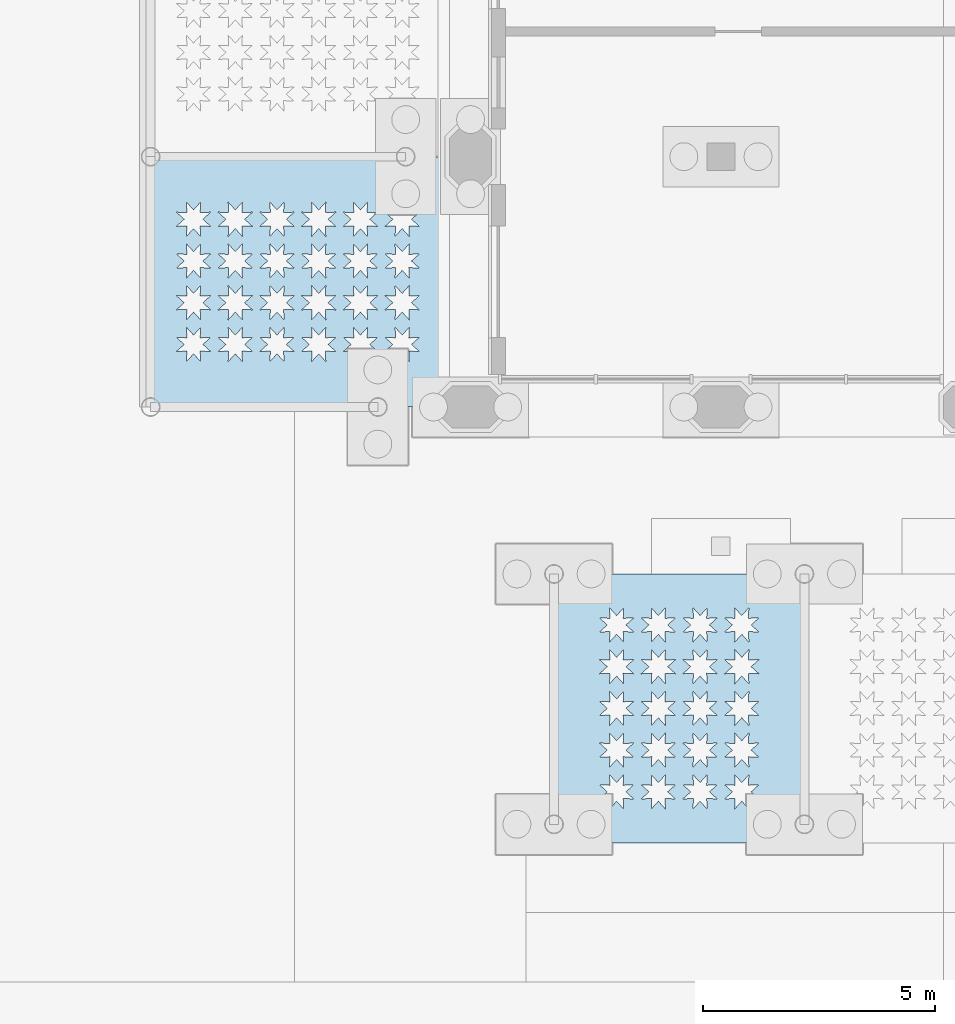
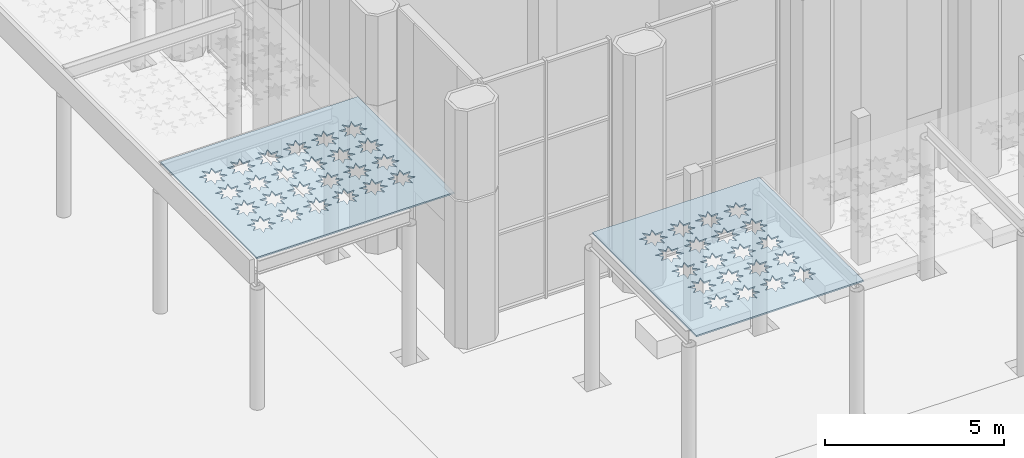
# One storey, part 20 of 54: 2 plates.
"""IFC4 building model written with IfcOpenShell, lengths in metres."""

from ifc_helpers import new_model, si_unit, direction, frame, origin, place, context, subcontext, project, spatial, polyline, outline, extrude, material, layer, layer_set, type_object, element, save


model = new_model("IFC4")

# Units and contexts
model_context = context("Model", 3, precision=1e-05, world=origin(), true_north=direction((0.0, 1.0)))
body_context = subcontext(model_context, "Body", "Model", "MODEL_VIEW")
ifc_project = project(units=[si_unit("LENGTHUNIT", "METRE"), si_unit("AREAUNIT", "SQUARE_METRE"), si_unit("VOLUMEUNIT", "CUBIC_METRE"), si_unit("PLANEANGLEUNIT", "RADIAN"), si_unit("MASSUNIT", "GRAM", prefix="KILO")], contexts=[model_context])

# Site, building, storey
site_placement = place(None, origin())
site = spatial("IfcSite", under=ifc_project, at=site_placement, CompositionType="ELEMENT")
building_placement = place(site_placement, origin())
building = spatial("IfcBuilding", under=site, at=building_placement, Name="Tabaq Tower and Sports Hall", CompositionType="ELEMENT")
storey_placement = place(building_placement, origin())
storey = spatial("IfcBuildingStorey", under=building, at=storey_placement, Name="L00", CompositionType="ELEMENT", Elevation=0.0)

# Plates
ifc_material = material(Name="Stainless steel grade 1.4401 pierced panel", Category="steel")
ifc_layer = layer(ifc_material, 0.050048828125)
ifc_layer_set = layer_set([ifc_layer], Name="SCREEN PIERCED STAR PANEL 50")
plate_type = type_object("IfcPlateType", Name="SCREEN PIERCED STAR PANEL 50", PredefinedType="USERDEFINED", material=ifc_layer_set)
plate_1_placement = place(storey_placement, frame((0.0, 0.0, 5.0)))
element("IfcPlate", 1, at=plate_1_placement, inside=storey, type_object=plate_type, Name="Plaza canopy screen 1", ObjectType="SCREEN", PredefinedType="USERDEFINED", context=body_context, shape_type="SweptSolid", body=[
    extrude(outline(polyline([(57.89990234375, 0.010009765625), (64.25, 0.010009765625), (64.25, 5.389892578125), (57.89990234375, 5.389892578125), (57.89990234375, 0.010009765625)]), holes=[polyline([(59.02490234375, 1.35009765625), (59.194580078125, 1.197021484375), (58.96630859375, 1.20849609375), (58.97802734375, 0.98046875), (58.824951171875, 1.14990234375), (58.671875, 0.98046875), (58.68359375, 1.20849609375), (58.455322265625, 1.197021484375), (58.625, 1.35009765625), (58.455322265625, 1.503173828125), (58.68359375, 1.491455078125), (58.671875, 1.719482421875), (58.824951171875, 1.550048828125), (58.97802734375, 1.719482421875), (58.96630859375, 1.491455078125), (59.194580078125, 1.503173828125), (59.02490234375, 1.35009765625)]), polyline([(59.02490234375, 2.25), (59.194580078125, 2.096923828125), (58.96630859375, 2.108642578125), (58.97802734375, 1.88037109375), (58.824951171875, 2.050048828125), (58.671875, 1.88037109375), (58.68359375, 2.108642578125), (58.455322265625, 2.096923828125), (58.625, 2.25), (58.455322265625, 2.403076171875), (58.68359375, 2.391357421875), (58.671875, 2.61962890625), (58.824951171875, 2.449951171875), (58.97802734375, 2.61962890625), (58.96630859375, 2.391357421875), (59.194580078125, 2.403076171875), (59.02490234375, 2.25)]), polyline([(59.02490234375, 3.14990234375), (59.194580078125, 2.996826171875), (58.96630859375, 3.008544921875), (58.97802734375, 2.780517578125), (58.824951171875, 2.949951171875), (58.671875, 2.780517578125), (58.68359375, 3.008544921875), (58.455322265625, 2.996826171875), (58.625, 3.14990234375), (58.455322265625, 3.302978515625), (58.68359375, 3.29150390625), (58.671875, 3.51953125), (58.824951171875, 3.35009765625), (58.97802734375, 3.51953125), (58.96630859375, 3.29150390625), (59.194580078125, 3.302978515625), (59.02490234375, 3.14990234375)]), polyline([(59.02490234375, 4.050048828125), (59.194580078125, 3.89697265625), (58.96630859375, 3.90869140625), (58.97802734375, 3.680419921875), (58.824951171875, 3.85009765625), (58.671875, 3.680419921875), (58.68359375, 3.90869140625), (58.455322265625, 3.89697265625), (58.625, 4.050048828125), (58.455322265625, 4.203125), (58.68359375, 4.19140625), (58.671875, 4.419677734375), (58.824951171875, 4.25), (58.97802734375, 4.419677734375), (58.96630859375, 4.19140625), (59.194580078125, 4.203125), (59.02490234375, 4.050048828125)]), polyline([(59.925048828125, 1.35009765625), (60.094482421875, 1.197021484375), (59.866455078125, 1.20849609375), (59.878173828125, 0.98046875), (59.72509765625, 1.14990234375), (59.572021484375, 0.98046875), (59.58349609375, 1.20849609375), (59.35546875, 1.197021484375), (59.52490234375, 1.35009765625), (59.35546875, 1.503173828125), (59.58349609375, 1.491455078125), (59.572021484375, 1.719482421875), (59.72509765625, 1.550048828125), (59.878173828125, 1.719482421875), (59.866455078125, 1.491455078125), (60.094482421875, 1.503173828125), (59.925048828125, 1.35009765625)]), polyline([(59.925048828125, 2.25), (60.094482421875, 2.096923828125), (59.866455078125, 2.108642578125), (59.878173828125, 1.88037109375), (59.72509765625, 2.050048828125), (59.572021484375, 1.88037109375), (59.58349609375, 2.108642578125), (59.35546875, 2.096923828125), (59.52490234375, 2.25), (59.35546875, 2.403076171875), (59.58349609375, 2.391357421875), (59.572021484375, 2.61962890625), (59.72509765625, 2.449951171875), (59.878173828125, 2.61962890625), (59.866455078125, 2.391357421875), (60.094482421875, 2.403076171875), (59.925048828125, 2.25)]), polyline([(59.925048828125, 3.14990234375), (60.094482421875, 2.996826171875), (59.866455078125, 3.008544921875), (59.878173828125, 2.780517578125), (59.72509765625, 2.949951171875), (59.572021484375, 2.780517578125), (59.58349609375, 3.008544921875), (59.35546875, 2.996826171875), (59.52490234375, 3.14990234375), (59.35546875, 3.302978515625), (59.58349609375, 3.29150390625), (59.572021484375, 3.51953125), (59.72509765625, 3.35009765625), (59.878173828125, 3.51953125), (59.866455078125, 3.29150390625), (60.094482421875, 3.302978515625), (59.925048828125, 3.14990234375)]), polyline([(59.925048828125, 4.050048828125), (60.094482421875, 3.89697265625), (59.866455078125, 3.90869140625), (59.878173828125, 3.680419921875), (59.72509765625, 3.85009765625), (59.572021484375, 3.680419921875), (59.58349609375, 3.90869140625), (59.35546875, 3.89697265625), (59.52490234375, 4.050048828125), (59.35546875, 4.203125), (59.58349609375, 4.19140625), (59.572021484375, 4.419677734375), (59.72509765625, 4.25), (59.878173828125, 4.419677734375), (59.866455078125, 4.19140625), (60.094482421875, 4.203125), (59.925048828125, 4.050048828125)]), polyline([(60.824951171875, 1.35009765625), (60.99462890625, 1.197021484375), (60.766357421875, 1.20849609375), (60.778076171875, 0.98046875), (60.625, 1.14990234375), (60.471923828125, 0.98046875), (60.483642578125, 1.20849609375), (60.25537109375, 1.197021484375), (60.425048828125, 1.35009765625), (60.25537109375, 1.503173828125), (60.483642578125, 1.491455078125), (60.471923828125, 1.719482421875), (60.625, 1.550048828125), (60.778076171875, 1.719482421875), (60.766357421875, 1.491455078125), (60.99462890625, 1.503173828125), (60.824951171875, 1.35009765625)]), polyline([(60.824951171875, 2.25), (60.99462890625, 2.096923828125), (60.766357421875, 2.108642578125), (60.778076171875, 1.88037109375), (60.625, 2.050048828125), (60.471923828125, 1.88037109375), (60.483642578125, 2.108642578125), (60.25537109375, 2.096923828125), (60.425048828125, 2.25), (60.25537109375, 2.403076171875), (60.483642578125, 2.391357421875), (60.471923828125, 2.61962890625), (60.625, 2.449951171875), (60.778076171875, 2.61962890625), (60.766357421875, 2.391357421875), (60.99462890625, 2.403076171875), (60.824951171875, 2.25)]), polyline([(60.824951171875, 3.14990234375), (60.99462890625, 2.996826171875), (60.766357421875, 3.008544921875), (60.778076171875, 2.780517578125), (60.625, 2.949951171875), (60.471923828125, 2.780517578125), (60.483642578125, 3.008544921875), (60.25537109375, 2.996826171875), (60.425048828125, 3.14990234375), (60.25537109375, 3.302978515625), (60.483642578125, 3.29150390625), (60.471923828125, 3.51953125), (60.625, 3.35009765625), (60.778076171875, 3.51953125), (60.766357421875, 3.29150390625), (60.99462890625, 3.302978515625), (60.824951171875, 3.14990234375)]), polyline([(60.824951171875, 4.050048828125), (60.99462890625, 3.89697265625), (60.766357421875, 3.90869140625), (60.778076171875, 3.680419921875), (60.625, 3.85009765625), (60.471923828125, 3.680419921875), (60.483642578125, 3.90869140625), (60.25537109375, 3.89697265625), (60.425048828125, 4.050048828125), (60.25537109375, 4.203125), (60.483642578125, 4.19140625), (60.471923828125, 4.419677734375), (60.625, 4.25), (60.778076171875, 4.419677734375), (60.766357421875, 4.19140625), (60.99462890625, 4.203125), (60.824951171875, 4.050048828125)]), polyline([(61.72509765625, 1.35009765625), (61.89453125, 1.197021484375), (61.66650390625, 1.20849609375), (61.677978515625, 0.98046875), (61.52490234375, 1.14990234375), (61.371826171875, 0.98046875), (61.383544921875, 1.20849609375), (61.155517578125, 1.197021484375), (61.324951171875, 1.35009765625), (61.155517578125, 1.503173828125), (61.383544921875, 1.491455078125), (61.371826171875, 1.719482421875), (61.52490234375, 1.550048828125), (61.677978515625, 1.719482421875), (61.66650390625, 1.491455078125), (61.89453125, 1.503173828125), (61.72509765625, 1.35009765625)]), polyline([(61.72509765625, 2.25), (61.89453125, 2.096923828125), (61.66650390625, 2.108642578125), (61.677978515625, 1.88037109375), (61.52490234375, 2.050048828125), (61.371826171875, 1.88037109375), (61.383544921875, 2.108642578125), (61.155517578125, 2.096923828125), (61.324951171875, 2.25), (61.155517578125, 2.403076171875), (61.383544921875, 2.391357421875), (61.371826171875, 2.61962890625), (61.52490234375, 2.449951171875), (61.677978515625, 2.61962890625), (61.66650390625, 2.391357421875), (61.89453125, 2.403076171875), (61.72509765625, 2.25)]), polyline([(61.72509765625, 3.14990234375), (61.89453125, 2.996826171875), (61.66650390625, 3.008544921875), (61.677978515625, 2.780517578125), (61.52490234375, 2.949951171875), (61.371826171875, 2.780517578125), (61.383544921875, 3.008544921875), (61.155517578125, 2.996826171875), (61.324951171875, 3.14990234375), (61.155517578125, 3.302978515625), (61.383544921875, 3.29150390625), (61.371826171875, 3.51953125), (61.52490234375, 3.35009765625), (61.677978515625, 3.51953125), (61.66650390625, 3.29150390625), (61.89453125, 3.302978515625), (61.72509765625, 3.14990234375)]), polyline([(61.72509765625, 4.050048828125), (61.89453125, 3.89697265625), (61.66650390625, 3.90869140625), (61.677978515625, 3.680419921875), (61.52490234375, 3.85009765625), (61.371826171875, 3.680419921875), (61.383544921875, 3.90869140625), (61.155517578125, 3.89697265625), (61.324951171875, 4.050048828125), (61.155517578125, 4.203125), (61.383544921875, 4.19140625), (61.371826171875, 4.419677734375), (61.52490234375, 4.25), (61.677978515625, 4.419677734375), (61.66650390625, 4.19140625), (61.89453125, 4.203125), (61.72509765625, 4.050048828125)]), polyline([(62.625, 1.35009765625), (62.794677734375, 1.197021484375), (62.56640625, 1.20849609375), (62.578125, 0.98046875), (62.425048828125, 1.14990234375), (62.27197265625, 0.98046875), (62.28369140625, 1.20849609375), (62.055419921875, 1.197021484375), (62.22509765625, 1.35009765625), (62.055419921875, 1.503173828125), (62.28369140625, 1.491455078125), (62.27197265625, 1.719482421875), (62.425048828125, 1.550048828125), (62.578125, 1.719482421875), (62.56640625, 1.491455078125), (62.794677734375, 1.503173828125), (62.625, 1.35009765625)]), polyline([(62.625, 2.25), (62.794677734375, 2.096923828125), (62.56640625, 2.108642578125), (62.578125, 1.88037109375), (62.425048828125, 2.050048828125), (62.27197265625, 1.88037109375), (62.28369140625, 2.108642578125), (62.055419921875, 2.096923828125), (62.22509765625, 2.25), (62.055419921875, 2.403076171875), (62.28369140625, 2.391357421875), (62.27197265625, 2.61962890625), (62.425048828125, 2.449951171875), (62.578125, 2.61962890625), (62.56640625, 2.391357421875), (62.794677734375, 2.403076171875), (62.625, 2.25)]), polyline([(62.625, 3.14990234375), (62.794677734375, 2.996826171875), (62.56640625, 3.008544921875), (62.578125, 2.780517578125), (62.425048828125, 2.949951171875), (62.27197265625, 2.780517578125), (62.28369140625, 3.008544921875), (62.055419921875, 2.996826171875), (62.22509765625, 3.14990234375), (62.055419921875, 3.302978515625), (62.28369140625, 3.29150390625), (62.27197265625, 3.51953125), (62.425048828125, 3.35009765625), (62.578125, 3.51953125), (62.56640625, 3.29150390625), (62.794677734375, 3.302978515625), (62.625, 3.14990234375)]), polyline([(62.625, 4.050048828125), (62.794677734375, 3.89697265625), (62.56640625, 3.90869140625), (62.578125, 3.680419921875), (62.425048828125, 3.85009765625), (62.27197265625, 3.680419921875), (62.28369140625, 3.90869140625), (62.055419921875, 3.89697265625), (62.22509765625, 4.050048828125), (62.055419921875, 4.203125), (62.28369140625, 4.19140625), (62.27197265625, 4.419677734375), (62.425048828125, 4.25), (62.578125, 4.419677734375), (62.56640625, 4.19140625), (62.794677734375, 4.203125), (62.625, 4.050048828125)]), polyline([(63.52490234375, 1.35009765625), (63.694580078125, 1.197021484375), (63.46630859375, 1.20849609375), (63.47802734375, 0.98046875), (63.324951171875, 1.14990234375), (63.171875, 0.98046875), (63.18359375, 1.20849609375), (62.955322265625, 1.197021484375), (63.125, 1.35009765625), (62.955322265625, 1.503173828125), (63.18359375, 1.491455078125), (63.171875, 1.719482421875), (63.324951171875, 1.550048828125), (63.47802734375, 1.719482421875), (63.46630859375, 1.491455078125), (63.694580078125, 1.503173828125), (63.52490234375, 1.35009765625)]), polyline([(63.52490234375, 2.25), (63.694580078125, 2.096923828125), (63.46630859375, 2.108642578125), (63.47802734375, 1.88037109375), (63.324951171875, 2.050048828125), (63.171875, 1.88037109375), (63.18359375, 2.108642578125), (62.955322265625, 2.096923828125), (63.125, 2.25), (62.955322265625, 2.403076171875), (63.18359375, 2.391357421875), (63.171875, 2.61962890625), (63.324951171875, 2.449951171875), (63.47802734375, 2.61962890625), (63.46630859375, 2.391357421875), (63.694580078125, 2.403076171875), (63.52490234375, 2.25)]), polyline([(63.52490234375, 3.14990234375), (63.694580078125, 2.996826171875), (63.46630859375, 3.008544921875), (63.47802734375, 2.780517578125), (63.324951171875, 2.949951171875), (63.171875, 2.780517578125), (63.18359375, 3.008544921875), (62.955322265625, 2.996826171875), (63.125, 3.14990234375), (62.955322265625, 3.302978515625), (63.18359375, 3.29150390625), (63.171875, 3.51953125), (63.324951171875, 3.35009765625), (63.47802734375, 3.51953125), (63.46630859375, 3.29150390625), (63.694580078125, 3.302978515625), (63.52490234375, 3.14990234375)]), polyline([(63.52490234375, 4.050048828125), (63.694580078125, 3.89697265625), (63.46630859375, 3.90869140625), (63.47802734375, 3.680419921875), (63.324951171875, 3.85009765625), (63.171875, 3.680419921875), (63.18359375, 3.90869140625), (62.955322265625, 3.89697265625), (63.125, 4.050048828125), (62.955322265625, 4.203125), (63.18359375, 4.19140625), (63.171875, 4.419677734375), (63.324951171875, 4.25), (63.47802734375, 4.419677734375), (63.46630859375, 4.19140625), (63.694580078125, 4.203125), (63.52490234375, 4.050048828125)])]), origin(), (0.0, 0.0, 1.0), 0.050048828125),
])
plate_2_placement = place(storey_placement, frame((0.0, 0.0, 5.0)))
element("IfcPlate", 2, at=plate_2_placement, inside=storey, type_object=plate_type, Name="Drop-off canopy screen 1", ObjectType="SCREEN", PredefinedType="USERDEFINED", context=body_context, shape_type="SweptSolid", body=[
    extrude(outline(polyline([(66.610107421875, -9.39990234375), (71.989990234375, -9.39990234375), (71.989990234375, -3.60009765625), (66.610107421875, -3.60009765625), (66.610107421875, -9.39990234375)]), holes=[polyline([(68.14990234375, -8.300048828125), (68.319580078125, -8.453125), (68.09130859375, -8.44140625), (68.10302734375, -8.669677734375), (67.949951171875, -8.5), (67.796875, -8.669677734375), (67.80859375, -8.44140625), (67.580322265625, -8.453125), (67.75, -8.300048828125), (67.580322265625, -8.14697265625), (67.80859375, -8.15869140625), (67.796875, -7.930419921875), (67.949951171875, -8.10009765625), (68.10302734375, -7.930419921875), (68.09130859375, -8.15869140625), (68.319580078125, -8.14697265625), (68.14990234375, -8.300048828125)]), polyline([(68.14990234375, -7.39990234375), (68.319580078125, -7.552978515625), (68.09130859375, -7.54150390625), (68.10302734375, -7.76953125), (67.949951171875, -7.60009765625), (67.796875, -7.76953125), (67.80859375, -7.54150390625), (67.580322265625, -7.552978515625), (67.75, -7.39990234375), (67.580322265625, -7.246826171875), (67.80859375, -7.258544921875), (67.796875, -7.030517578125), (67.949951171875, -7.199951171875), (68.10302734375, -7.030517578125), (68.09130859375, -7.258544921875), (68.319580078125, -7.246826171875), (68.14990234375, -7.39990234375)]), polyline([(68.14990234375, -6.5), (68.319580078125, -6.653076171875), (68.09130859375, -6.641357421875), (68.10302734375, -6.86962890625), (67.949951171875, -6.699951171875), (67.796875, -6.86962890625), (67.80859375, -6.641357421875), (67.580322265625, -6.653076171875), (67.75, -6.5), (67.580322265625, -6.346923828125), (67.80859375, -6.358642578125), (67.796875, -6.13037109375), (67.949951171875, -6.300048828125), (68.10302734375, -6.13037109375), (68.09130859375, -6.358642578125), (68.319580078125, -6.346923828125), (68.14990234375, -6.5)]), polyline([(68.14990234375, -5.60009765625), (68.319580078125, -5.753173828125), (68.09130859375, -5.741455078125), (68.10302734375, -5.969482421875), (67.949951171875, -5.800048828125), (67.796875, -5.969482421875), (67.80859375, -5.741455078125), (67.580322265625, -5.753173828125), (67.75, -5.60009765625), (67.580322265625, -5.447021484375), (67.80859375, -5.45849609375), (67.796875, -5.23046875), (67.949951171875, -5.39990234375), (68.10302734375, -5.23046875), (68.09130859375, -5.45849609375), (68.319580078125, -5.447021484375), (68.14990234375, -5.60009765625)]), polyline([(68.14990234375, -4.699951171875), (68.319580078125, -4.85302734375), (68.09130859375, -4.84130859375), (68.10302734375, -5.069580078125), (67.949951171875, -4.89990234375), (67.796875, -5.069580078125), (67.80859375, -4.84130859375), (67.580322265625, -4.85302734375), (67.75, -4.699951171875), (67.580322265625, -4.546875), (67.80859375, -4.55859375), (67.796875, -4.330322265625), (67.949951171875, -4.5), (68.10302734375, -4.330322265625), (68.09130859375, -4.55859375), (68.319580078125, -4.546875), (68.14990234375, -4.699951171875)]), polyline([(69.050048828125, -8.300048828125), (69.219482421875, -8.453125), (68.991455078125, -8.44140625), (69.003173828125, -8.669677734375), (68.85009765625, -8.5), (68.697021484375, -8.669677734375), (68.70849609375, -8.44140625), (68.48046875, -8.453125), (68.64990234375, -8.300048828125), (68.48046875, -8.14697265625), (68.70849609375, -8.15869140625), (68.697021484375, -7.930419921875), (68.85009765625, -8.10009765625), (69.003173828125, -7.930419921875), (68.991455078125, -8.15869140625), (69.219482421875, -8.14697265625), (69.050048828125, -8.300048828125)]), polyline([(69.050048828125, -7.39990234375), (69.219482421875, -7.552978515625), (68.991455078125, -7.54150390625), (69.003173828125, -7.76953125), (68.85009765625, -7.60009765625), (68.697021484375, -7.76953125), (68.70849609375, -7.54150390625), (68.48046875, -7.552978515625), (68.64990234375, -7.39990234375), (68.48046875, -7.246826171875), (68.70849609375, -7.258544921875), (68.697021484375, -7.030517578125), (68.85009765625, -7.199951171875), (69.003173828125, -7.030517578125), (68.991455078125, -7.258544921875), (69.219482421875, -7.246826171875), (69.050048828125, -7.39990234375)]), polyline([(69.050048828125, -6.5), (69.219482421875, -6.653076171875), (68.991455078125, -6.641357421875), (69.003173828125, -6.86962890625), (68.85009765625, -6.699951171875), (68.697021484375, -6.86962890625), (68.70849609375, -6.641357421875), (68.48046875, -6.653076171875), (68.64990234375, -6.5), (68.48046875, -6.346923828125), (68.70849609375, -6.358642578125), (68.697021484375, -6.13037109375), (68.85009765625, -6.300048828125), (69.003173828125, -6.13037109375), (68.991455078125, -6.358642578125), (69.219482421875, -6.346923828125), (69.050048828125, -6.5)]), polyline([(69.050048828125, -5.60009765625), (69.219482421875, -5.753173828125), (68.991455078125, -5.741455078125), (69.003173828125, -5.969482421875), (68.85009765625, -5.800048828125), (68.697021484375, -5.969482421875), (68.70849609375, -5.741455078125), (68.48046875, -5.753173828125), (68.64990234375, -5.60009765625), (68.48046875, -5.447021484375), (68.70849609375, -5.45849609375), (68.697021484375, -5.23046875), (68.85009765625, -5.39990234375), (69.003173828125, -5.23046875), (68.991455078125, -5.45849609375), (69.219482421875, -5.447021484375), (69.050048828125, -5.60009765625)]), polyline([(69.050048828125, -4.699951171875), (69.219482421875, -4.85302734375), (68.991455078125, -4.84130859375), (69.003173828125, -5.069580078125), (68.85009765625, -4.89990234375), (68.697021484375, -5.069580078125), (68.70849609375, -4.84130859375), (68.48046875, -4.85302734375), (68.64990234375, -4.699951171875), (68.48046875, -4.546875), (68.70849609375, -4.55859375), (68.697021484375, -4.330322265625), (68.85009765625, -4.5), (69.003173828125, -4.330322265625), (68.991455078125, -4.55859375), (69.219482421875, -4.546875), (69.050048828125, -4.699951171875)]), polyline([(69.949951171875, -8.300048828125), (70.11962890625, -8.453125), (69.891357421875, -8.44140625), (69.903076171875, -8.669677734375), (69.75, -8.5), (69.596923828125, -8.669677734375), (69.608642578125, -8.44140625), (69.38037109375, -8.453125), (69.550048828125, -8.300048828125), (69.38037109375, -8.14697265625), (69.608642578125, -8.15869140625), (69.596923828125, -7.930419921875), (69.75, -8.10009765625), (69.903076171875, -7.930419921875), (69.891357421875, -8.15869140625), (70.11962890625, -8.14697265625), (69.949951171875, -8.300048828125)]), polyline([(69.949951171875, -7.39990234375), (70.11962890625, -7.552978515625), (69.891357421875, -7.54150390625), (69.903076171875, -7.76953125), (69.75, -7.60009765625), (69.596923828125, -7.76953125), (69.608642578125, -7.54150390625), (69.38037109375, -7.552978515625), (69.550048828125, -7.39990234375), (69.38037109375, -7.246826171875), (69.608642578125, -7.258544921875), (69.596923828125, -7.030517578125), (69.75, -7.199951171875), (69.903076171875, -7.030517578125), (69.891357421875, -7.258544921875), (70.11962890625, -7.246826171875), (69.949951171875, -7.39990234375)]), polyline([(69.949951171875, -6.5), (70.11962890625, -6.653076171875), (69.891357421875, -6.641357421875), (69.903076171875, -6.86962890625), (69.75, -6.699951171875), (69.596923828125, -6.86962890625), (69.608642578125, -6.641357421875), (69.38037109375, -6.653076171875), (69.550048828125, -6.5), (69.38037109375, -6.346923828125), (69.608642578125, -6.358642578125), (69.596923828125, -6.13037109375), (69.75, -6.300048828125), (69.903076171875, -6.13037109375), (69.891357421875, -6.358642578125), (70.11962890625, -6.346923828125), (69.949951171875, -6.5)]), polyline([(69.949951171875, -5.60009765625), (70.11962890625, -5.753173828125), (69.891357421875, -5.741455078125), (69.903076171875, -5.969482421875), (69.75, -5.800048828125), (69.596923828125, -5.969482421875), (69.608642578125, -5.741455078125), (69.38037109375, -5.753173828125), (69.550048828125, -5.60009765625), (69.38037109375, -5.447021484375), (69.608642578125, -5.45849609375), (69.596923828125, -5.23046875), (69.75, -5.39990234375), (69.903076171875, -5.23046875), (69.891357421875, -5.45849609375), (70.11962890625, -5.447021484375), (69.949951171875, -5.60009765625)]), polyline([(69.949951171875, -4.699951171875), (70.11962890625, -4.85302734375), (69.891357421875, -4.84130859375), (69.903076171875, -5.069580078125), (69.75, -4.89990234375), (69.596923828125, -5.069580078125), (69.608642578125, -4.84130859375), (69.38037109375, -4.85302734375), (69.550048828125, -4.699951171875), (69.38037109375, -4.546875), (69.608642578125, -4.55859375), (69.596923828125, -4.330322265625), (69.75, -4.5), (69.903076171875, -4.330322265625), (69.891357421875, -4.55859375), (70.11962890625, -4.546875), (69.949951171875, -4.699951171875)]), polyline([(70.85009765625, -8.300048828125), (71.01953125, -8.453125), (70.79150390625, -8.44140625), (70.802978515625, -8.669677734375), (70.64990234375, -8.5), (70.496826171875, -8.669677734375), (70.508544921875, -8.44140625), (70.280517578125, -8.453125), (70.449951171875, -8.300048828125), (70.280517578125, -8.14697265625), (70.508544921875, -8.15869140625), (70.496826171875, -7.930419921875), (70.64990234375, -8.10009765625), (70.802978515625, -7.930419921875), (70.79150390625, -8.15869140625), (71.01953125, -8.14697265625), (70.85009765625, -8.300048828125)]), polyline([(70.85009765625, -7.39990234375), (71.01953125, -7.552978515625), (70.79150390625, -7.54150390625), (70.802978515625, -7.76953125), (70.64990234375, -7.60009765625), (70.496826171875, -7.76953125), (70.508544921875, -7.54150390625), (70.280517578125, -7.552978515625), (70.449951171875, -7.39990234375), (70.280517578125, -7.246826171875), (70.508544921875, -7.258544921875), (70.496826171875, -7.030517578125), (70.64990234375, -7.199951171875), (70.802978515625, -7.030517578125), (70.79150390625, -7.258544921875), (71.01953125, -7.246826171875), (70.85009765625, -7.39990234375)]), polyline([(70.85009765625, -6.5), (71.01953125, -6.653076171875), (70.79150390625, -6.641357421875), (70.802978515625, -6.86962890625), (70.64990234375, -6.699951171875), (70.496826171875, -6.86962890625), (70.508544921875, -6.641357421875), (70.280517578125, -6.653076171875), (70.449951171875, -6.5), (70.280517578125, -6.346923828125), (70.508544921875, -6.358642578125), (70.496826171875, -6.13037109375), (70.64990234375, -6.300048828125), (70.802978515625, -6.13037109375), (70.79150390625, -6.358642578125), (71.01953125, -6.346923828125), (70.85009765625, -6.5)]), polyline([(70.85009765625, -5.60009765625), (71.01953125, -5.753173828125), (70.79150390625, -5.741455078125), (70.802978515625, -5.969482421875), (70.64990234375, -5.800048828125), (70.496826171875, -5.969482421875), (70.508544921875, -5.741455078125), (70.280517578125, -5.753173828125), (70.449951171875, -5.60009765625), (70.280517578125, -5.447021484375), (70.508544921875, -5.45849609375), (70.496826171875, -5.23046875), (70.64990234375, -5.39990234375), (70.802978515625, -5.23046875), (70.79150390625, -5.45849609375), (71.01953125, -5.447021484375), (70.85009765625, -5.60009765625)]), polyline([(70.85009765625, -4.699951171875), (71.01953125, -4.85302734375), (70.79150390625, -4.84130859375), (70.802978515625, -5.069580078125), (70.64990234375, -4.89990234375), (70.496826171875, -5.069580078125), (70.508544921875, -4.84130859375), (70.280517578125, -4.85302734375), (70.449951171875, -4.699951171875), (70.280517578125, -4.546875), (70.508544921875, -4.55859375), (70.496826171875, -4.330322265625), (70.64990234375, -4.5), (70.802978515625, -4.330322265625), (70.79150390625, -4.55859375), (71.01953125, -4.546875), (70.85009765625, -4.699951171875)])]), origin(), (0.0, 0.0, 1.0), 0.050048828125),
])

save(model, "model.ifc")
